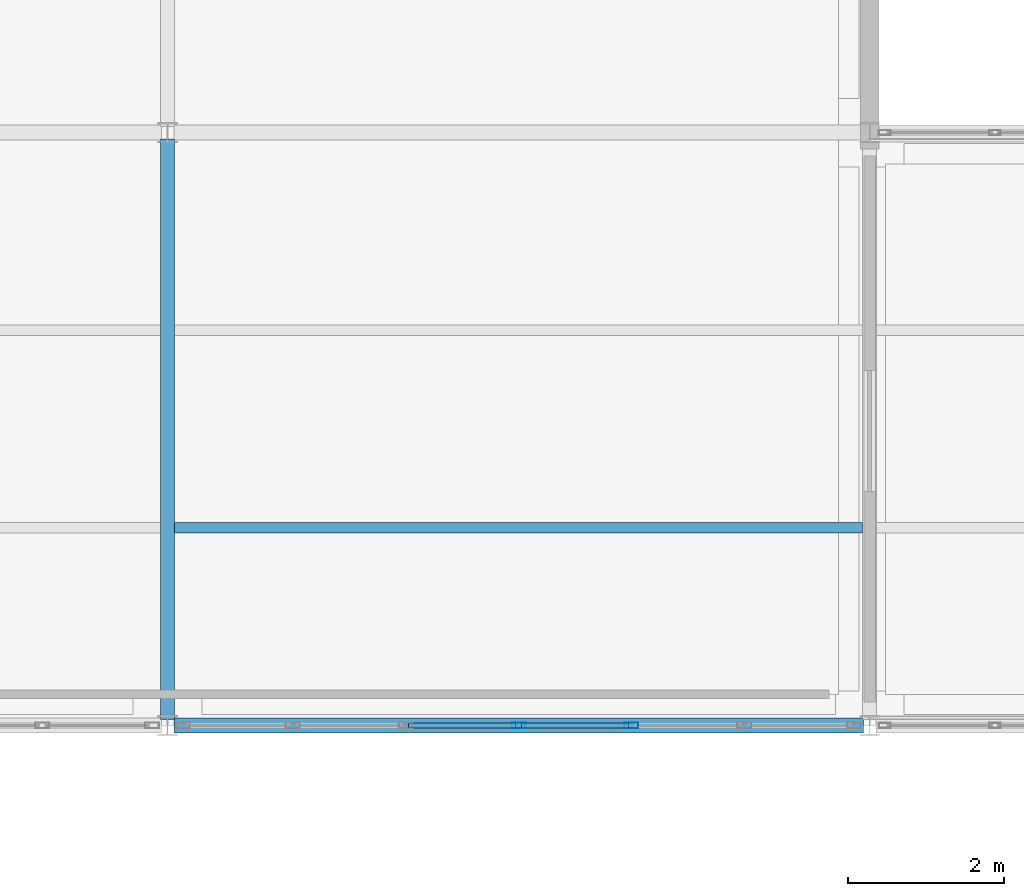
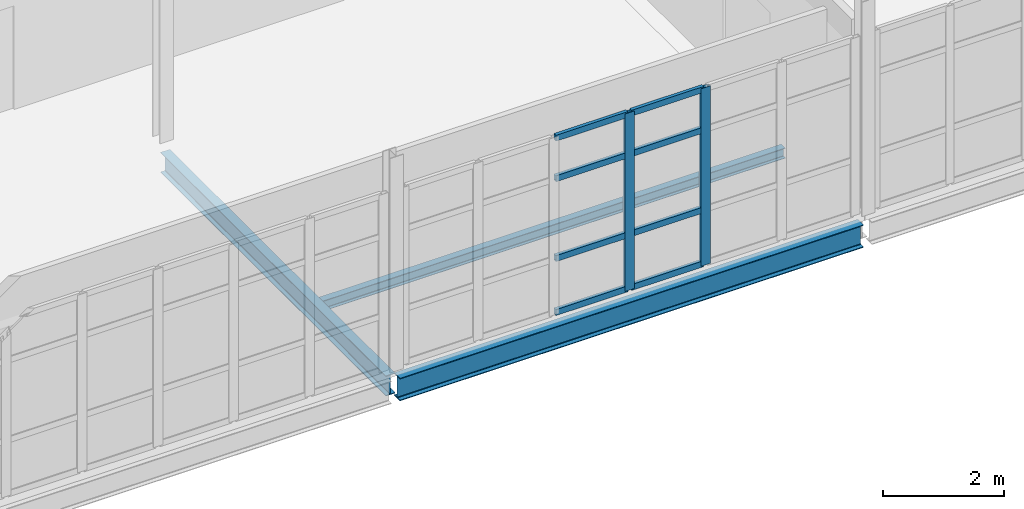
# One storey, part 84 of 166: 10 members, 3 beams, 1 element without a shape of its own.
"""IFC4 building model written with IfcOpenShell, lengths in metres."""

from ifc_helpers import new_model, si_unit, direction, frame, origin, origin_2d, place, context, subcontext, project, spatial, hollow_rectangle, i_section, extrude, material, material_profile, profile_set, type_object, element, aggregate, save


model = new_model("IFC4")

# Units and contexts
model_context = context("Model", 3, precision=1e-05, world=origin(), true_north=direction((0.0, 1.0)))
body_context = subcontext(model_context, "Body", "Model", "MODEL_VIEW")
ifc_project = project(units=[si_unit("LENGTHUNIT", "METRE"), si_unit("AREAUNIT", "SQUARE_METRE"), si_unit("VOLUMEUNIT", "CUBIC_METRE"), si_unit("PLANEANGLEUNIT", "RADIAN"), si_unit("MASSUNIT", "GRAM", prefix="KILO")], contexts=[model_context])

# Site, building, storey
site_placement = place(None, origin())
site = spatial("IfcSite", under=ifc_project, at=site_placement, CompositionType="ELEMENT")
building_placement = place(site_placement, origin())
building = spatial("IfcBuilding", under=site, at=building_placement, Name="Caisbarro Railhouse Central Library", CompositionType="ELEMENT")
storey_placement = place(building_placement, frame((0.0, 0.0, 9.360107421875)))
storey = spatial("IfcBuildingStorey", under=building, at=storey_placement, Name="L02", CompositionType="ELEMENT", Elevation=9.360107421875)

# Beams
ifc_material_1 = material(Name="Steel ASTM A572 Grade 50", Category="steel")
ifc_material_profile_1 = material_profile(ifc_material_1, i_section(OverallWidth=0.177978515625, OverallDepth=0.406982421875, WebThickness=0.0078125, FlangeThickness=0.0126953125, FilletRadius=0.01611328125, at=origin_2d()), Name="W410X60.0")
ifc_profile_set_1 = profile_set([ifc_material_profile_1], Name="Steel ASTM A572 Grade 50")
beam_type_1 = type_object("IfcBeamType", Name="BM-G10", PredefinedType="BEAM", material=ifc_profile_set_1)
beam_1_placement = place(storey_placement, frame((90.0, 83.679931640625, -0.403564453125), z_axis=(0.0, 1.0, 0.0), x_axis=(-1.0, 0.0, 0.0)))
element("IfcBeam", 1, at=beam_1_placement, inside=storey, type_object=beam_type_1, Name="G10 beam L02 #1684", PredefinedType="BEAM", context=body_context, shape_type="SweptSolid", body=[
    extrude(i_section(OverallWidth=0.177978515625, OverallDepth=0.406982421875, WebThickness=0.0078125, FlangeThickness=0.0126953125, FilletRadius=0.01611328125, at=origin_2d()), origin(), (0.0, 0.0, 1.0), 7.440185546875),
])
ifc_material_profile_2 = material_profile(ifc_material_1, i_section(OverallWidth=0.133056640625, OverallDepth=0.20703125, WebThickness=0.005859375, FlangeThickness=0.00830078125, FilletRadius=0.010009765625, at=origin_2d()), Name="W200X26.6")
ifc_profile_set_2 = profile_set([ifc_material_profile_2], Name="Steel ASTM A572 Grade 50")
beam_type_2 = type_object("IfcBeamType", Name="BM-J07", PredefinedType="JOIST", material=ifc_profile_set_2)
beam_2_placement = place(storey_placement, frame((90.089111328125, 86.13330078125, -0.3037109375), z_axis=(1.0, 0.0, 0.0), x_axis=(0.0, 1.0, 0.0)))
element("IfcBeam", 2, at=beam_2_placement, inside=storey, type_object=beam_type_2, Name="J07 beam L02 #1712", PredefinedType="JOIST", context=body_context, shape_type="SweptSolid", body=[
    extrude(i_section(OverallWidth=0.133056640625, OverallDepth=0.20703125, WebThickness=0.005859375, FlangeThickness=0.00830078125, FilletRadius=0.010009765625, at=origin_2d()), origin(), (0.0, 0.0, 1.0), 8.82177734375),
])
ifc_material_profile_3 = material_profile(ifc_material_1, i_section(OverallWidth=0.18994140625, OverallDepth=0.45703125, WebThickness=0.009033203125, FlangeThickness=0.014404296875, FilletRadius=0.01806640625, at=origin_2d()), Name="W460X74.0")
ifc_profile_set_3 = profile_set([ifc_material_profile_3], Name="Steel ASTM A572 Grade 50")
beam_type_3 = type_object("IfcBeamType", Name="BM-SP01", PredefinedType="SPANDREL", material=ifc_profile_set_3)
beam_3_placement = place(storey_placement, frame((90.080078125, 83.60009765625, -0.4287109375), z_axis=(1.0, 0.0, 0.0), x_axis=(0.0, 1.0, 0.0)))
element("IfcBeam", 3, at=beam_3_placement, inside=storey, type_object=beam_type_3, Name="SP01 beam L02 #1656", PredefinedType="SPANDREL", context=body_context, shape_type="SweptSolid", body=[
    extrude(i_section(OverallWidth=0.18994140625, OverallDepth=0.45703125, WebThickness=0.009033203125, FlangeThickness=0.014404296875, FilletRadius=0.01806640625, at=origin_2d()), origin(), (0.0, 0.0, 1.0), 8.83984375),
])

# Curtain wall, members
ifc_material_2 = material(Name="Anodised architectural aluminium", Category="aluminium")
curtain_wall_type = type_object("IfcCurtainWallType", Name="CW-CW02", PredefinedType="NOTDEFINED", material=ifc_material_2)
curtain_wall_placement = place(storey_placement, origin())
curtain_wall = element("IfcCurtainWall", 4, at=curtain_wall_placement, inside=storey, type_object=curtain_wall_type, Name="CW02 curtain wall L02 #185", PredefinedType="NOTDEFINED")
ifc_material_profile_4 = material_profile(ifc_material_2, hollow_rectangle(XDim=0.074951171875, YDim=0.179931640625, WallThickness=0.00439453125, at=origin_2d()), Name="ALU-MUL-75X180")
ifc_profile_set_4 = profile_set([ifc_material_profile_4], Name="Anodised architectural aluminium")
member_type_1 = type_object("IfcMemberType", Name="CWM-M01", PredefinedType="MULLION", material=ifc_profile_set_4)
member_1_placement = place(storey_placement, frame((94.5, 83.60009765625, 0.0), z_axis=(0.0, 0.0, 1.0), x_axis=(0.0, 1.0, 0.0)))
member_1 = element("IfcMember", 5, at=member_1_placement, type_object=member_type_1, Name="CW02 mullion 4", PredefinedType="MULLION", context=body_context, shape_type="SweptSolid", body=[
    extrude(hollow_rectangle(XDim=0.074951171875, YDim=0.179931640625, WallThickness=0.00439453125, at=origin_2d()), origin(), (0.0, 0.0, 1.0), 3.579833984375),
])
member_2_placement = place(storey_placement, frame((95.94677734375, 83.60009765625, 0.0), z_axis=(0.0, 0.0, 1.0), x_axis=(0.0, 1.0, 0.0)))
member_2 = element("IfcMember", 6, at=member_2_placement, type_object=member_type_1, Name="CW02 mullion 5", PredefinedType="MULLION", context=body_context, shape_type="SweptSolid", body=[
    extrude(hollow_rectangle(XDim=0.074951171875, YDim=0.179931640625, WallThickness=0.00439453125, at=origin_2d()), origin(), (0.0, 0.0, 1.0), 3.579833984375),
])
ifc_material_profile_5 = material_profile(ifc_material_2, hollow_rectangle(XDim=0.06494140625, YDim=0.1201171875, WallThickness=0.00341796875, at=origin_2d()), Name="ALU-TRN-65X120")
ifc_profile_set_5 = profile_set([ifc_material_profile_5], Name="Anodised architectural aluminium")
member_type_2 = type_object("IfcMemberType", Name="CWT-T02", PredefinedType="USERDEFINED", material=ifc_profile_set_5)
member_3_placement = place(storey_placement, frame((93.0908203125, 83.60009765625, 0.032470703125), z_axis=(1.0, 0.0, 0.0), x_axis=(0.0, 1.0, 0.0)))
member_3 = element("IfcMember", 7, at=member_3_placement, type_object=member_type_2, Name="CW02 transom 3.1", ObjectType="TRANSOM", PredefinedType="USERDEFINED", context=body_context, shape_type="SweptSolid", body=[
    extrude(hollow_rectangle(XDim=0.06494140625, YDim=0.1201171875, WallThickness=0.00341796875, at=origin_2d()), origin(), (0.0, 0.0, 1.0), 1.37158203125),
])
member_4_placement = place(storey_placement, frame((93.0908203125, 83.60009765625, 1.119873046875), z_axis=(1.0, 0.0, 0.0), x_axis=(0.0, 1.0, 0.0)))
member_4 = element("IfcMember", 8, at=member_4_placement, type_object=member_type_2, Name="CW02 transom 3.2", ObjectType="TRANSOM", PredefinedType="USERDEFINED", context=body_context, shape_type="SweptSolid", body=[
    extrude(hollow_rectangle(XDim=0.06494140625, YDim=0.1201171875, WallThickness=0.00341796875, at=origin_2d()), origin(), (0.0, 0.0, 1.0), 1.37158203125),
])
member_5_placement = place(storey_placement, frame((93.0908203125, 83.60009765625, 2.72998046875), z_axis=(1.0, 0.0, 0.0), x_axis=(0.0, 1.0, 0.0)))
member_5 = element("IfcMember", 9, at=member_5_placement, type_object=member_type_2, Name="CW02 transom 3.3", ObjectType="TRANSOM", PredefinedType="USERDEFINED", context=body_context, shape_type="SweptSolid", body=[
    extrude(hollow_rectangle(XDim=0.06494140625, YDim=0.1201171875, WallThickness=0.00341796875, at=origin_2d()), origin(), (0.0, 0.0, 1.0), 1.37158203125),
])
member_6_placement = place(storey_placement, frame((93.0908203125, 83.60009765625, 3.54736328125), z_axis=(1.0, 0.0, 0.0), x_axis=(0.0, 1.0, 0.0)))
member_6 = element("IfcMember", 10, at=member_6_placement, type_object=member_type_2, Name="CW02 transom 3.4", ObjectType="TRANSOM", PredefinedType="USERDEFINED", context=body_context, shape_type="SweptSolid", body=[
    extrude(hollow_rectangle(XDim=0.06494140625, YDim=0.1201171875, WallThickness=0.00341796875, at=origin_2d()), origin(), (0.0, 0.0, 1.0), 1.37158203125),
])
member_7_placement = place(storey_placement, frame((94.53759765625, 83.60009765625, 0.032470703125), z_axis=(1.0, 0.0, 0.0), x_axis=(0.0, 1.0, 0.0)))
member_7 = element("IfcMember", 11, at=member_7_placement, type_object=member_type_2, Name="CW02 transom 4.1", ObjectType="TRANSOM", PredefinedType="USERDEFINED", context=body_context, shape_type="SweptSolid", body=[
    extrude(hollow_rectangle(XDim=0.06494140625, YDim=0.1201171875, WallThickness=0.00341796875, at=origin_2d()), origin(), (0.0, 0.0, 1.0), 1.37158203125),
])
member_8_placement = place(storey_placement, frame((94.53759765625, 83.60009765625, 1.119873046875), z_axis=(1.0, 0.0, 0.0), x_axis=(0.0, 1.0, 0.0)))
member_8 = element("IfcMember", 12, at=member_8_placement, type_object=member_type_2, Name="CW02 transom 4.2", ObjectType="TRANSOM", PredefinedType="USERDEFINED", context=body_context, shape_type="SweptSolid", body=[
    extrude(hollow_rectangle(XDim=0.06494140625, YDim=0.1201171875, WallThickness=0.00341796875, at=origin_2d()), origin(), (0.0, 0.0, 1.0), 1.37158203125),
])
member_9_placement = place(storey_placement, frame((94.53759765625, 83.60009765625, 2.72998046875), z_axis=(1.0, 0.0, 0.0), x_axis=(0.0, 1.0, 0.0)))
member_9 = element("IfcMember", 13, at=member_9_placement, type_object=member_type_2, Name="CW02 transom 4.3", ObjectType="TRANSOM", PredefinedType="USERDEFINED", context=body_context, shape_type="SweptSolid", body=[
    extrude(hollow_rectangle(XDim=0.06494140625, YDim=0.1201171875, WallThickness=0.00341796875, at=origin_2d()), origin(), (0.0, 0.0, 1.0), 1.37158203125),
])
member_10_placement = place(storey_placement, frame((94.53759765625, 83.60009765625, 3.54736328125), z_axis=(1.0, 0.0, 0.0), x_axis=(0.0, 1.0, 0.0)))
member_10 = element("IfcMember", 14, at=member_10_placement, type_object=member_type_2, Name="CW02 transom 4.4", ObjectType="TRANSOM", PredefinedType="USERDEFINED", context=body_context, shape_type="SweptSolid", body=[
    extrude(hollow_rectangle(XDim=0.06494140625, YDim=0.1201171875, WallThickness=0.00341796875, at=origin_2d()), origin(), (0.0, 0.0, 1.0), 1.37158203125),
])
aggregate(curtain_wall, [member_1, member_2, member_3, member_4, member_5, member_6, member_7, member_8, member_9, member_10])

save(model, "model.ifc")
